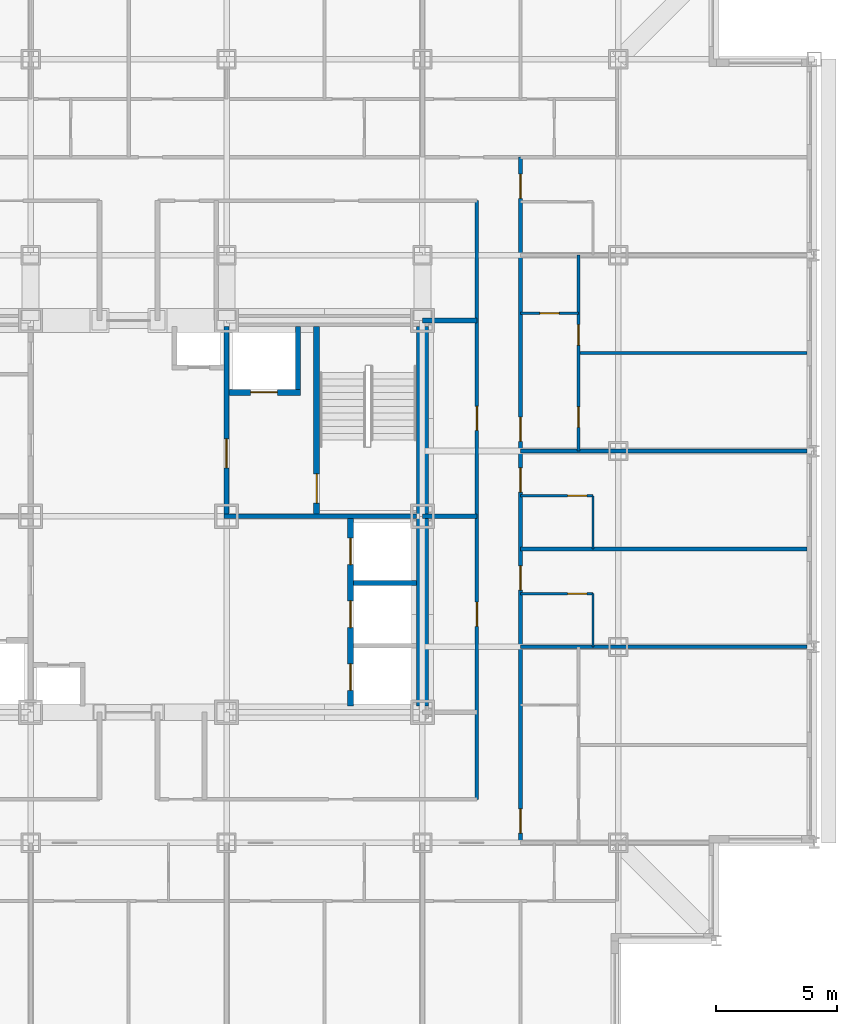
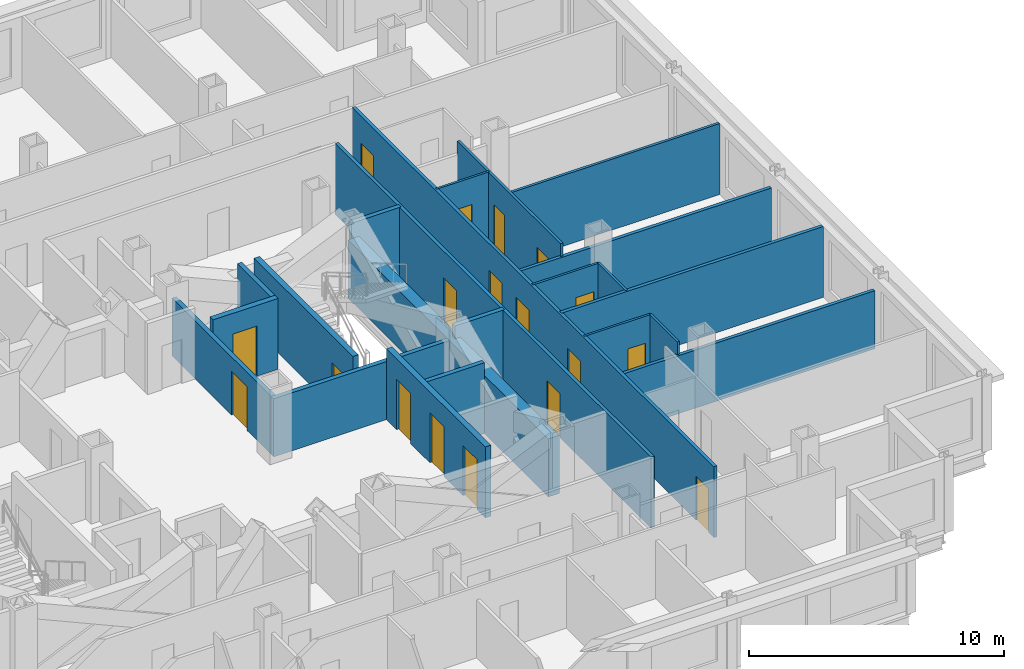
# One storey, part 8 of 12: 22 walls, 18 doors, 18 openings.
"""IFC4 building model written with IfcOpenShell, lengths in metres."""

import ifcopenshell
import ifcopenshell.guid

model = None  # the IFC model being written
_history = None  # IfcOwnerHistory: only IFC2X3 demands one
_inside = {}  # id of a spatial element -> (the spatial element, [elements in it])
_under = {}  # id of a project, library or spatial element -> (it, [spatial elements below it])
_declared = {}  # id of a project -> (the project, [libraries it declares])
_typed = {}  # id of a type object -> (the type object, [elements of that type])
_made_of = {}  # id of a material, layer set ... -> (it, [elements and type objects made of it])


def new_model(schema):
    """Start an empty IFC model of exactly this schema.

    Asked for "IFC4X3", IfcOpenShell would pick the latest addendum, in which some entities
    have other attributes; the version numbers below select the first issue.
    IFC2X3 requires an IfcOwnerHistory on every rooted entity: one is made here for all.
    """
    global model, _history
    if schema == "IFC4X3":
        model = ifcopenshell.file(schema_version=(4, 3, 0, 0))
    else:
        model = ifcopenshell.file(schema=schema)
    _inside.clear()
    _under.clear()
    _declared.clear()
    _typed.clear()
    _made_of.clear()
    _history = None
    if model.schema == "IFC2X3":
        org = make("IfcOrganization", Name="unknown")
        user = make(
            "IfcPersonAndOrganization",
            ThePerson=make("IfcPerson", FamilyName="unknown"),
            TheOrganization=org,
        )
        app = make(
            "IfcApplication",
            ApplicationDeveloper=org,
            Version="unknown",
            ApplicationFullName="unknown",
            ApplicationIdentifier="unknown",
        )
        _history = make(
            "IfcOwnerHistory",
            OwningUser=user,
            OwningApplication=app,
            ChangeAction="ADDED",
            CreationDate=0,
        )
    return model


def make(cls, **values):
    """One entity of the class cls with the attributes given. An attribute that is None is left unset."""
    return model.create_entity(
        cls, **{name: value for name, value in values.items() if value is not None}
    )


def rooted(cls, **values):
    """An entity with a GlobalId (a new one), such as an element, a storey or a relation."""
    return make(cls, GlobalId=ifcopenshell.guid.new(), OwnerHistory=_history, **values)


def si_unit(unit_type, name, prefix=None):
    """IfcSIUnit, for example si_unit("LENGTHUNIT", "METRE", prefix="MILLI")."""
    return make("IfcSIUnit", UnitType=unit_type, Prefix=prefix, Name=name)


def assignment(units):
    """IfcUnitAssignment: the units of a project."""
    return None if units is None else make("IfcUnitAssignment", Units=units)


def point(xyz):
    """IfcCartesianPoint."""
    return None if xyz is None else make("IfcCartesianPoint", Coordinates=xyz)


def direction(xyz):
    """IfcDirection."""
    return None if xyz is None else make("IfcDirection", DirectionRatios=xyz)


def frame(location, z_axis=None, x_axis=None):
    """IfcAxis2Placement3D, a coordinate frame: its origin and axes. An axis left out is left unset."""
    return make(
        "IfcAxis2Placement3D",
        Location=point(location),
        Axis=direction(z_axis),
        RefDirection=direction(x_axis),
    )


def frame_2d(location, x_axis=None):
    """IfcAxis2Placement2D, a coordinate frame in the plane: its origin and x axis."""
    return make(
        "IfcAxis2Placement2D", Location=point(location), RefDirection=direction(x_axis)
    )


def origin():
    """The frame at (0, 0, 0) with its axes left unset."""
    return frame((0.0, 0.0, 0.0))


def place(relative_to, where):
    """IfcLocalPlacement: puts the frame where relative to a parent placement (None: the world)."""
    return make(
        "IfcLocalPlacement", PlacementRelTo=relative_to, RelativePlacement=where
    )


def context(
    kind, dimensions, precision=None, world=None, true_north=None, identifier=None
):
    """IfcGeometricRepresentationContext, for example the 3D "Model" context."""
    return make(
        "IfcGeometricRepresentationContext",
        ContextIdentifier=identifier,
        ContextType=kind,
        CoordinateSpaceDimension=dimensions,
        Precision=precision,
        WorldCoordinateSystem=world,
        TrueNorth=true_north,
    )


def subcontext(parent, identifier, kind, view, scale=None):
    """IfcGeometricRepresentationSubContext, for example "Body" below "Model"."""
    return make(
        "IfcGeometricRepresentationSubContext",
        ContextIdentifier=identifier,
        ContextType=kind,
        ParentContext=parent,
        TargetScale=scale,
        TargetView=view,
    )


def project(units=None, contexts=None):
    """IfcProject with its units and contexts."""
    return rooted(
        "IfcProject",
        Name="project",
        RepresentationContexts=contexts,
        UnitsInContext=assignment(units),
    )


def spatial(cls, under=None, at=None, **own):
    """A site, building, storey or space (cls), placed at a placement, below another one or the project."""
    s = rooted(cls, ObjectPlacement=at, **own)
    if under is not None:
        _under.setdefault(under.id(), (under, []))[1].append(s)
    return s


def profile(cls, at=None, kind="AREA", **sizes):
    """A parametric profile (cls). Its sizes go by their IFC names, for example OverallWidth=200.0."""
    return make(cls, ProfileType=kind, Position=at, **sizes)


def rectangle(**sizes):
    """IfcRectangleProfileDef."""
    return profile("IfcRectangleProfileDef", **sizes)


def extrude(swept, where, along, depth):
    """IfcExtrudedAreaSolid: the profile swept, set in the frame where, extruded along a direction by depth."""
    return make(
        "IfcExtrudedAreaSolid",
        SweptArea=swept,
        Position=where,
        ExtrudedDirection=direction(along),
        Depth=depth,
    )


def shape(context_of_items, identifier, shape_type, items):
    """IfcShapeRepresentation: the items that make up one representation, for example the "Body"."""
    return make(
        "IfcShapeRepresentation",
        ContextOfItems=context_of_items,
        RepresentationIdentifier=identifier,
        RepresentationType=shape_type,
        Items=items,
    )


def material(Name=None, Category=None):
    """IfcMaterial."""
    return make("IfcMaterial", Name=Name, Category=Category)


def layer(
    of_material, thickness, ventilated=None, Name=None, Category=None, Priority=None
):
    """IfcMaterialLayer: one layer of a wall or slab, of a material (None: an air gap)."""
    return make(
        "IfcMaterialLayer",
        Material=of_material,
        LayerThickness=thickness,
        IsVentilated=ventilated,
        Name=Name,
        Category=Category,
        Priority=Priority,
    )


def layer_set(layers, Name=None):
    """IfcMaterialLayerSet."""
    return make("IfcMaterialLayerSet", MaterialLayers=layers, LayerSetName=Name)


def made_of(thing, what):
    """Note that an element or type object is made of a material, layer set ...; save() writes the relation."""
    if what is not None:
        _made_of.setdefault(what.id(), (what, []))[1].append(thing)
    return thing


def type_object(cls, material=None, **own):
    """A type object (cls), such as IfcWallType, which elements share."""
    return made_of(rooted(cls, **own), material)


def element(
    cls,
    number,
    at=None,
    inside=None,
    cuts=None,
    type_object=None,
    material=None,
    context=None,
    identifier="Body",
    shape_type=None,
    held_by="IfcProductDefinitionShape",
    body=None,
    shapes=None,
    **own,
):
    """One element of the class cls, such as IfcWall. Its Tag is "e" and its number.

    at: its placement. inside: the storey or other place that contains it. cuts: it is an
    opening in that element (IfcRelVoidsElement). A single representation is given by context,
    identifier, shape_type and body (its items); several are given by shapes. held_by: the class
    of the entity that holds the representations. save() writes the other relations.
    """
    e = rooted(cls, Tag="e%d" % number, ObjectPlacement=at, **own)
    if body is not None:
        shapes = [shape(context, identifier, shape_type, body)]
    if shapes is not None:
        e.Representation = make(held_by, Representations=shapes)
    if inside is not None:
        _inside.setdefault(inside.id(), (inside, []))[1].append(e)
    if cuts is not None:
        rooted(
            "IfcRelVoidsElement", RelatingBuildingElement=cuts, RelatedOpeningElement=e
        )
    if type_object is not None:
        _typed.setdefault(type_object.id(), (type_object, []))[1].append(e)
    return made_of(e, material)


def fill(opening, filler):
    """IfcRelFillsElement: the door or window that sits in an opening."""
    return rooted(
        "IfcRelFillsElement",
        RelatingOpeningElement=opening,
        RelatedBuildingElement=filler,
    )


def aggregate(whole, parts):
    """IfcRelAggregates: a whole, such as a stair, and the parts it consists of."""
    return rooted("IfcRelAggregates", RelatingObject=whole, RelatedObjects=parts)


def save(model, path):
    """Write the relations noted so far, then the file.

    IfcRelAggregates (storeys below a building ...), IfcRelContainedInSpatialStructure (elements
    in a storey), IfcRelDefinesByType, IfcRelAssociatesMaterial and IfcRelDeclares: one each for
    every whole, place, type object, material and project.
    """
    for whole, parts in _under.values():
        aggregate(whole, parts)
    for where, things in _inside.values():
        rooted(
            "IfcRelContainedInSpatialStructure",
            RelatedElements=things,
            RelatingStructure=where,
        )
    for kind, things in _typed.values():
        rooted("IfcRelDefinesByType", RelatedObjects=things, RelatingType=kind)
    for what, things in _made_of.values():
        rooted("IfcRelAssociatesMaterial", RelatedObjects=things, RelatingMaterial=what)
    for by, libraries in _declared.values():
        rooted("IfcRelDeclares", RelatingContext=by, RelatedDefinitions=libraries)
    model.write(path)


model = new_model("IFC4")

# Units and contexts
model_context = context("Model", 3, precision=1e-05, world=origin(), true_north=direction((0.0, 1.0)))
body_context = subcontext(model_context, "Body", "Model", "MODEL_VIEW")
ifc_project = project(units=[si_unit("LENGTHUNIT", "METRE"), si_unit("AREAUNIT", "SQUARE_METRE"), si_unit("VOLUMEUNIT", "CUBIC_METRE"), si_unit("PLANEANGLEUNIT", "RADIAN"), si_unit("MASSUNIT", "GRAM", prefix="KILO")], contexts=[model_context])

# Site, building, storey
site_placement = place(None, origin())
site = spatial("IfcSite", under=ifc_project, at=site_placement, CompositionType="ELEMENT")
building_placement = place(site_placement, origin())
building = spatial("IfcBuilding", under=site, at=building_placement, Name="Kopane Lantern Tower", CompositionType="ELEMENT")
storey_placement = place(building_placement, frame((0.0, 0.0, 181.199951171875)))
storey = spatial("IfcBuildingStorey", under=building, at=storey_placement, Name="L46", CompositionType="ELEMENT", Elevation=181.199951171875)

# Wall, openings, doors
ifc_material_1 = material(Name="Gypsum board on steel studs", Category="steel")
ifc_layer_1 = layer(ifc_material_1, 0.1201171875)
ifc_layer_set_1 = layer_set([ifc_layer_1], Name="APARTMENT INTERNAL WALL 120")
wall_type_1 = type_object("IfcWallType", Name="APARTMENT INTERNAL WALL 120", PredefinedType="PARTITIONING", material=ifc_layer_set_1)
wall_1_placement = place(storey_placement, frame((46.949951171875, 35.10009765625, 0.0), z_axis=(0.0, 0.0, 1.0), x_axis=(0.0, 1.0, 0.0)))
wall_1 = element("IfcWall", 1, at=wall_1_placement, inside=storey, type_object=wall_type_1, Name="Apartment Internal Wall 120 L46", PredefinedType="PARTITIONING", context=body_context, shape_type="SweptSolid", body=[
    extrude(rectangle(XDim=8.099853515625, YDim=0.1201171875, at=frame_2d((4.0498046875, 0.0))), origin(), (0.0, 0.0, 1.0), 3.39013671875),
])
opening_1_placement = place(wall_1_placement, frame((0.97509765625, 0.0, 0.0)))
opening_1 = element("IfcOpeningElement", 2, at=opening_1_placement, cuts=wall_1, Name="Opening L46-056", PredefinedType="OPENING", context=body_context, shape_type="SweptSolid", body=[
    extrude(rectangle(XDim=0.85009765625, YDim=2.10009765625, at=frame_2d((0.425048828125, 1.050048828125))), frame((0.0, 0.070068359375, 0.0), z_axis=(0.0, -1.0, 0.0), x_axis=(1.0, 0.0, 0.0)), (0.0, 0.0, 1.0), 0.14013671875),
])
opening_2_placement = place(wall_1_placement, frame((4.375, 0.0, 0.0)))
opening_2 = element("IfcOpeningElement", 3, at=opening_2_placement, cuts=wall_1, Name="Opening L46-057", PredefinedType="OPENING", context=body_context, shape_type="SweptSolid", body=[
    extrude(rectangle(XDim=0.85009765625, YDim=2.10009765625, at=frame_2d((0.425048828125, 1.050048828125))), frame((0.0, 0.070068359375, 0.0), z_axis=(0.0, -1.0, 0.0), x_axis=(1.0, 0.0, 0.0)), (0.0, 0.0, 1.0), 0.14013671875),
])
ifc_material_2 = material(Name="Timber door set", Category="wood")
door_type_1 = type_object("IfcDoorType", Name="DOOR D4 850x2100", OperationType="SINGLE_SWING_LEFT", PredefinedType="DOOR", material=ifc_material_2)
door_1_placement = place(opening_1_placement, origin())
door_1 = element("IfcDoor", 4, at=door_1_placement, inside=storey, type_object=door_type_1, Name="Door L46-056", OperationType="SINGLE_SWING_LEFT", OverallHeight=2.10009765625, OverallWidth=0.85009765625, PredefinedType="DOOR", context=body_context, shape_type="SweptSolid", body=[
    extrude(rectangle(XDim=0.85009765625, YDim=2.10009765625, at=frame_2d((0.425048828125, 1.050048828125))), frame((0.0, 0.02490234375, 0.0), z_axis=(0.0, -1.0, 0.0), x_axis=(1.0, 0.0, 0.0)), (0.0, 0.0, 1.0), 0.050048828125),
])
fill(opening_1, door_1)
door_2_placement = place(opening_2_placement, origin())
door_2 = element("IfcDoor", 5, at=door_2_placement, inside=storey, type_object=door_type_1, Name="Door L46-057", OperationType="SINGLE_SWING_RIGHT", OverallHeight=2.10009765625, OverallWidth=0.85009765625, PredefinedType="DOOR", context=body_context, shape_type="SweptSolid", body=[
    extrude(rectangle(XDim=0.85009765625, YDim=2.10009765625, at=frame_2d((0.425048828125, 1.050048828125))), frame((0.0, 0.02490234375, 0.0), z_axis=(0.0, -1.0, 0.0), x_axis=(1.0, 0.0, 0.0)), (0.0, 0.0, 1.0), 0.050048828125),
])
fill(opening_2, door_2)

# Walls
wall_2_placement = place(storey_placement, frame((46.949951171875, 39.14990234375, 0.0), z_axis=(0.0, 0.0, 1.0), x_axis=(1.0, 0.0, 0.0)))
element("IfcWall", 6, at=wall_2_placement, inside=storey, type_object=wall_type_1, Name="Apartment Internal Wall 120 L46", PredefinedType="PARTITIONING", context=body_context, shape_type="SweptSolid", body=[
    extrude(rectangle(XDim=9.449951171875, YDim=0.1201171875, at=frame_2d((4.72509765625, 0.0))), origin(), (0.0, 0.0, 1.0), 3.39013671875),
])
ifc_material_3 = material(Name="Moisture-resistant board on steel studs", Category="steel")
ifc_layer_2 = layer(ifc_material_3, 0.10009765625)
ifc_layer_set_2 = layer_set([ifc_layer_2], Name="BATHROOM WALL 100")
wall_type_2 = type_object("IfcWallType", Name="BATHROOM WALL 100", PredefinedType="PARTITIONING", material=ifc_layer_set_2)
wall_3_placement = place(storey_placement, frame((47.550048828125, 27.0, 0.0), z_axis=(0.0, 0.0, 1.0), x_axis=(0.0, 1.0, 0.0)))
element("IfcWall", 7, at=wall_3_placement, inside=storey, type_object=wall_type_2, Name="Bathroom Wall 100 L46", PredefinedType="PARTITIONING", context=body_context, shape_type="SweptSolid", body=[
    extrude(rectangle(XDim=2.199951171875, YDim=0.10009765625, at=frame_2d((1.10009765625, 0.0))), origin(), (0.0, 0.0, 1.0), 3.39013671875),
])

# Wall, opening, door
wall_4_placement = place(storey_placement, frame((44.550048828125, 29.199951171875, 0.0), z_axis=(0.0, 0.0, 1.0), x_axis=(1.0, 0.0, 0.0)))
wall_4 = element("IfcWall", 8, at=wall_4_placement, inside=storey, type_object=wall_type_2, Name="Bathroom Wall 100 L46", PredefinedType="PARTITIONING", context=body_context, shape_type="SweptSolid", body=[
    extrude(rectangle(XDim=3.0, YDim=0.10009765625, at=frame_2d((1.5, 0.0))), origin(), (0.0, 0.0, 1.0), 3.39013671875),
])
opening_3_placement = place(wall_4_placement, frame((1.949951171875, 0.0, 0.0)))
opening_3 = element("IfcOpeningElement", 9, at=opening_3_placement, cuts=wall_4, Name="Opening L46-050", PredefinedType="OPENING", context=body_context, shape_type="SweptSolid", body=[
    extrude(rectangle(XDim=0.800048828125, YDim=2.10009765625, at=frame_2d((0.39990234375, 1.050048828125))), frame((0.0, 0.06005859375, 0.0), z_axis=(0.0, -1.0, 0.0), x_axis=(1.0, 0.0, 0.0)), (0.0, 0.0, 1.0), 0.1201171875),
])
ifc_material_4 = material(Name="Timber door set", Category="wood")
door_type_2 = type_object("IfcDoorType", Name="DOOR D2 800x2100", OperationType="SINGLE_SWING_LEFT", PredefinedType="DOOR", material=ifc_material_4)
door_3_placement = place(opening_3_placement, origin())
door_3 = element("IfcDoor", 10, at=door_3_placement, inside=storey, type_object=door_type_2, Name="Door L46-050", OperationType="SINGLE_SWING_LEFT", OverallHeight=2.10009765625, OverallWidth=0.800048828125, PredefinedType="DOOR", context=body_context, shape_type="SweptSolid", body=[
    extrude(rectangle(XDim=0.800048828125, YDim=2.10009765625, at=frame_2d((0.39990234375, 1.050048828125))), frame((0.0, 0.02490234375, 0.0), z_axis=(0.0, -1.0, 0.0), x_axis=(1.0, 0.0, 0.0)), (0.0, 0.0, 1.0), 0.050048828125),
])
fill(opening_3, door_3)

# Wall
wall_5_placement = place(storey_placement, frame((47.550048828125, 31.050048828125, 0.0), z_axis=(0.0, 0.0, 1.0), x_axis=(0.0, 1.0, 0.0)))
element("IfcWall", 11, at=wall_5_placement, inside=storey, type_object=wall_type_2, Name="Bathroom Wall 100 L46", PredefinedType="PARTITIONING", context=body_context, shape_type="SweptSolid", body=[
    extrude(rectangle(XDim=2.199951171875, YDim=0.10009765625, at=frame_2d((1.10009765625, 0.0))), origin(), (0.0, 0.0, 1.0), 3.39013671875),
])

# Wall, opening, door
wall_6_placement = place(storey_placement, frame((44.550048828125, 33.25, 0.0), z_axis=(0.0, 0.0, 1.0), x_axis=(1.0, 0.0, 0.0)))
wall_6 = element("IfcWall", 12, at=wall_6_placement, inside=storey, type_object=wall_type_2, Name="Bathroom Wall 100 L46", PredefinedType="PARTITIONING", context=body_context, shape_type="SweptSolid", body=[
    extrude(rectangle(XDim=3.0, YDim=0.10009765625, at=frame_2d((1.5, 0.0))), origin(), (0.0, 0.0, 1.0), 3.39013671875),
])
opening_4_placement = place(wall_6_placement, frame((1.949951171875, 0.0, 0.0)))
opening_4 = element("IfcOpeningElement", 13, at=opening_4_placement, cuts=wall_6, Name="Opening L46-052", PredefinedType="OPENING", context=body_context, shape_type="SweptSolid", body=[
    extrude(rectangle(XDim=0.800048828125, YDim=2.10009765625, at=frame_2d((0.39990234375, 1.050048828125))), frame((0.0, 0.06005859375, 0.0), z_axis=(0.0, -1.0, 0.0), x_axis=(1.0, 0.0, 0.0)), (0.0, 0.0, 1.0), 0.1201171875),
])
door_4_placement = place(opening_4_placement, origin())
door_4 = element("IfcDoor", 14, at=door_4_placement, inside=storey, type_object=door_type_2, Name="Door L46-052", OperationType="SINGLE_SWING_LEFT", OverallHeight=2.10009765625, OverallWidth=0.800048828125, PredefinedType="DOOR", context=body_context, shape_type="SweptSolid", body=[
    extrude(rectangle(XDim=0.800048828125, YDim=2.10009765625, at=frame_2d((0.39990234375, 1.050048828125))), frame((0.0, 0.02490234375, 0.0), z_axis=(0.0, -1.0, 0.0), x_axis=(1.0, 0.0, 0.0)), (0.0, 0.0, 1.0), 0.050048828125),
])
fill(opening_4, door_4)

wall_7_placement = place(storey_placement, frame((44.550048828125, 40.800048828125, 0.0), z_axis=(0.0, 0.0, 1.0), x_axis=(1.0, 0.0, 0.0)))
wall_7 = element("IfcWall", 15, at=wall_7_placement, inside=storey, type_object=wall_type_2, Name="Bathroom Wall 100 L46", PredefinedType="PARTITIONING", context=body_context, shape_type="SweptSolid", body=[
    extrude(rectangle(XDim=2.39990234375, YDim=0.10009765625, at=frame_2d((1.199951171875, 0.0))), origin(), (0.0, 0.0, 1.0), 3.39013671875),
])
opening_5_placement = place(wall_7_placement, frame((0.800048828125, 0.0, 0.0)))
opening_5 = element("IfcOpeningElement", 16, at=opening_5_placement, cuts=wall_7, Name="Opening L46-054", PredefinedType="OPENING", context=body_context, shape_type="SweptSolid", body=[
    extrude(rectangle(XDim=0.800048828125, YDim=2.10009765625, at=frame_2d((0.39990234375, 1.050048828125))), frame((0.0, 0.06005859375, 0.0), z_axis=(0.0, -1.0, 0.0), x_axis=(1.0, 0.0, 0.0)), (0.0, 0.0, 1.0), 0.1201171875),
])
door_5_placement = place(opening_5_placement, origin())
door_5 = element("IfcDoor", 17, at=door_5_placement, inside=storey, type_object=door_type_2, Name="Door L46-054", OperationType="SINGLE_SWING_LEFT", OverallHeight=2.10009765625, OverallWidth=0.800048828125, PredefinedType="DOOR", context=body_context, shape_type="SweptSolid", body=[
    extrude(rectangle(XDim=0.800048828125, YDim=2.10009765625, at=frame_2d((0.39990234375, 1.050048828125))), frame((0.0, 0.02490234375, 0.0), z_axis=(0.0, -1.0, 0.0), x_axis=(1.0, 0.0, 0.0)), (0.0, 0.0, 1.0), 0.050048828125),
])
fill(opening_5, door_5)

# Wall
ifc_material_5 = material(Name="Gypsum shaft wall EI 120", Category="gypsum")
ifc_layer_3 = layer(ifc_material_5, 0.5)
ifc_layer_set_3 = layer_set([ifc_layer_3], Name="CORE PERIMETER WALL 500 EI 120")
wall_type_3 = type_object("IfcWallType", Name="CORE PERIMETER WALL 500 EI 120", PredefinedType="SOLIDWALL", material=ifc_layer_set_3)
wall_8_placement = place(storey_placement, frame((40.5, 24.550048828125, 0.0), z_axis=(0.0, 0.0, 1.0), x_axis=(0.0, 1.0, 0.0)))
element("IfcWall", 18, at=wall_8_placement, inside=storey, type_object=wall_type_3, Name="Core shaft wall L46 PE", PredefinedType="SOLIDWALL", context=body_context, shape_type="SweptSolid", body=[
    extrude(rectangle(XDim=15.699951171875, YDim=0.5, at=frame_2d((7.85009765625, 0.0))), origin(), (0.0, 0.0, 1.0), 2.77783203125),
])

# Wall, openings, doors
ifc_material_6 = material(Name="Gypsum shaft wall EI 120", Category="gypsum")
ifc_layer_4 = layer(ifc_material_6, 0.25)
ifc_layer_set_4 = layer_set([ifc_layer_4], Name="CORE SHAFT WALL 250 EI 120")
wall_type_4 = type_object("IfcWallType", Name="CORE SHAFT WALL 250 EI 120", PredefinedType="SOLIDWALL", material=ifc_layer_set_4)
wall_9_placement = place(storey_placement, frame((37.52490234375, 24.550048828125, 0.0), z_axis=(0.0, 0.0, 1.0), x_axis=(0.0, 1.0, 0.0)))
wall_9 = element("IfcWall", 19, at=wall_9_placement, inside=storey, type_object=wall_type_4, Name="Core shaft wall L46 XLR", PredefinedType="SOLIDWALL", context=body_context, shape_type="SweptSolid", body=[
    extrude(rectangle(XDim=7.75, YDim=0.25, at=frame_2d((3.875, 0.0))), origin(), (0.0, 0.0, 1.0), 3.39013671875),
])
opening_6_placement = place(wall_9_placement, frame((0.64990234375, 0.0, 0.0)))
opening_6 = element("IfcOpeningElement", 20, at=opening_6_placement, cuts=wall_9, Name="Opening 46.LD-LR1", PredefinedType="OPENING", context=body_context, shape_type="SweptSolid", body=[
    extrude(rectangle(XDim=1.10009765625, YDim=2.39990234375, at=frame_2d((0.550048828125, 1.199951171875))), frame((0.0, 0.135009765625, 0.0), z_axis=(0.0, -1.0, 0.0), x_axis=(1.0, 0.0, 0.0)), (0.0, 0.0, 1.0), 0.27001953125),
])
opening_7_placement = place(wall_9_placement, frame((3.25, 0.0, 0.0)))
opening_7 = element("IfcOpeningElement", 21, at=opening_7_placement, cuts=wall_9, Name="Opening 46.LD-LR2", PredefinedType="OPENING", context=body_context, shape_type="SweptSolid", body=[
    extrude(rectangle(XDim=1.10009765625, YDim=2.39990234375, at=frame_2d((0.550048828125, 1.199951171875))), frame((0.0, 0.135009765625, 0.0), z_axis=(0.0, -1.0, 0.0), x_axis=(1.0, 0.0, 0.0)), (0.0, 0.0, 1.0), 0.27001953125),
])
opening_8_placement = place(wall_9_placement, frame((5.85009765625, 0.0, 0.0)))
opening_8 = element("IfcOpeningElement", 22, at=opening_8_placement, cuts=wall_9, Name="Opening 46.LD-LR3", PredefinedType="OPENING", context=body_context, shape_type="SweptSolid", body=[
    extrude(rectangle(XDim=1.10009765625, YDim=2.39990234375, at=frame_2d((0.550048828125, 1.199951171875))), frame((0.0, 0.135009765625, 0.0), z_axis=(0.0, -1.0, 0.0), x_axis=(1.0, 0.0, 0.0)), (0.0, 0.0, 1.0), 0.27001953125),
])
ifc_material_7 = material(Name="Steel door set", Category="steel")
door_type_3 = type_object("IfcDoorType", Name="LIFT LANDING DOOR 1100x2400 FD60", OperationType="DOUBLE_DOOR_SLIDING", PredefinedType="DOOR", material=ifc_material_7)
door_6_placement = place(opening_6_placement, origin())
door_6 = element("IfcDoor", 23, at=door_6_placement, inside=storey, type_object=door_type_3, Name="Landing door LR1 L46", OperationType="DOUBLE_DOOR_SLIDING", OverallHeight=2.39990234375, OverallWidth=1.10009765625, PredefinedType="DOOR", context=body_context, shape_type="SweptSolid", body=[
    extrude(rectangle(XDim=1.10009765625, YDim=2.39990234375, at=frame_2d((0.550048828125, 1.199951171875))), frame((0.0, 0.02490234375, 0.0), z_axis=(0.0, -1.0, 0.0), x_axis=(1.0, 0.0, 0.0)), (0.0, 0.0, 1.0), 0.050048828125),
])
fill(opening_6, door_6)
door_7_placement = place(opening_7_placement, origin())
door_7 = element("IfcDoor", 24, at=door_7_placement, inside=storey, type_object=door_type_3, Name="Landing door LR2 L46", OperationType="DOUBLE_DOOR_SLIDING", OverallHeight=2.39990234375, OverallWidth=1.10009765625, PredefinedType="DOOR", context=body_context, shape_type="SweptSolid", body=[
    extrude(rectangle(XDim=1.10009765625, YDim=2.39990234375, at=frame_2d((0.550048828125, 1.199951171875))), frame((0.0, 0.02490234375, 0.0), z_axis=(0.0, -1.0, 0.0), x_axis=(1.0, 0.0, 0.0)), (0.0, 0.0, 1.0), 0.050048828125),
])
fill(opening_7, door_7)
door_8_placement = place(opening_8_placement, origin())
door_8 = element("IfcDoor", 25, at=door_8_placement, inside=storey, type_object=door_type_3, Name="Landing door LR3 L46", OperationType="DOUBLE_DOOR_SLIDING", OverallHeight=2.39990234375, OverallWidth=1.10009765625, PredefinedType="DOOR", context=body_context, shape_type="SweptSolid", body=[
    extrude(rectangle(XDim=1.10009765625, YDim=2.39990234375, at=frame_2d((0.550048828125, 1.199951171875))), frame((0.0, 0.02490234375, 0.0), z_axis=(0.0, -1.0, 0.0), x_axis=(1.0, 0.0, 0.0)), (0.0, 0.0, 1.0), 0.050048828125),
])
fill(opening_8, door_8)

# Wall, opening, door
wall_10_placement = place(storey_placement, frame((36.125, 32.5, 0.0), z_axis=(0.0, 0.0, 1.0), x_axis=(0.0, 1.0, 0.0)))
wall_10 = element("IfcWall", 26, at=wall_10_placement, inside=storey, type_object=wall_type_4, Name="Core shaft wall L46 XST2", PredefinedType="SOLIDWALL", context=body_context, shape_type="SweptSolid", body=[
    extrude(rectangle(XDim=7.75, YDim=0.25, at=frame_2d((3.875, 0.0))), origin(), (0.0, 0.0, 1.0), 3.39013671875),
])
opening_9_placement = place(wall_10_placement, frame((0.449951171875, 0.0, 0.0)))
opening_9 = element("IfcOpeningElement", 27, at=opening_9_placement, cuts=wall_10, Name="Opening 46.SD2", PredefinedType="OPENING", context=body_context, shape_type="SweptSolid", body=[
    extrude(rectangle(XDim=1.199951171875, YDim=2.10009765625, at=frame_2d((0.60009765625, 1.050048828125))), frame((0.0, 0.135009765625, 0.0), z_axis=(0.0, -1.0, 0.0), x_axis=(1.0, 0.0, 0.0)), (0.0, 0.0, 1.0), 0.27001953125),
])
ifc_material_8 = material(Name="Steel door set", Category="steel")
door_type_4 = type_object("IfcDoorType", Name="STAIR DOOR 1200x2100 FD60S", OperationType="SINGLE_SWING_LEFT", PredefinedType="DOOR", material=ifc_material_8)
door_9_placement = place(opening_9_placement, origin())
door_9 = element("IfcDoor", 28, at=door_9_placement, inside=storey, type_object=door_type_4, Name="Stair door ST2 L46", OperationType="SINGLE_SWING_RIGHT", OverallHeight=2.10009765625, OverallWidth=1.199951171875, PredefinedType="DOOR", context=body_context, shape_type="SweptSolid", body=[
    extrude(rectangle(XDim=1.199951171875, YDim=2.10009765625, at=frame_2d((0.60009765625, 1.050048828125))), frame((0.0, 0.02490234375, 0.0), z_axis=(0.0, -1.0, 0.0), x_axis=(1.0, 0.0, 0.0)), (0.0, 0.0, 1.0), 0.050048828125),
])
fill(opening_9, door_9)

wall_11_placement = place(storey_placement, frame((32.5, 37.52490234375, 0.0), z_axis=(0.0, 0.0, 1.0), x_axis=(1.0, 0.0, 0.0)))
wall_11 = element("IfcWall", 29, at=wall_11_placement, inside=storey, type_object=wall_type_4, Name="Core shaft wall L46 YLF2", PredefinedType="SOLIDWALL", context=body_context, shape_type="SweptSolid", body=[
    extrude(rectangle(XDim=2.949951171875, YDim=0.25, at=frame_2d((1.47509765625, 0.0))), origin(), (0.0, 0.0, 1.0), 3.39013671875),
])
opening_10_placement = place(wall_11_placement, frame((0.89990234375, 0.0, 0.0)))
opening_10 = element("IfcOpeningElement", 30, at=opening_10_placement, cuts=wall_11, Name="Opening 46.LD-LF2", PredefinedType="OPENING", context=body_context, shape_type="SweptSolid", body=[
    extrude(rectangle(XDim=1.10009765625, YDim=2.39990234375, at=frame_2d((0.550048828125, 1.199951171875))), frame((0.0, 0.135009765625, 0.0), z_axis=(0.0, -1.0, 0.0), x_axis=(1.0, 0.0, 0.0)), (0.0, 0.0, 1.0), 0.27001953125),
])
door_10_placement = place(opening_10_placement, origin())
door_10 = element("IfcDoor", 31, at=door_10_placement, inside=storey, type_object=door_type_3, Name="Landing door LF2 L46", OperationType="DOUBLE_DOOR_SLIDING", OverallHeight=2.39990234375, OverallWidth=1.10009765625, PredefinedType="DOOR", context=body_context, shape_type="SweptSolid", body=[
    extrude(rectangle(XDim=1.10009765625, YDim=2.39990234375, at=frame_2d((0.550048828125, 1.199951171875))), frame((0.0, 0.02490234375, 0.0), z_axis=(0.0, -1.0, 0.0), x_axis=(1.0, 0.0, 0.0)), (0.0, 0.0, 1.0), 0.050048828125),
])
fill(opening_10, door_10)

# Wall, openings, doors
ifc_material_9 = material(Name="Gypsum board on steel studs", Category="steel")
ifc_layer_5 = layer(ifc_material_9, 0.14990234375)
ifc_layer_set_5 = layer_set([ifc_layer_5], Name="CORRIDOR WALL 150 EI 60")
wall_type_5 = type_object("IfcWallType", Name="CORRIDOR WALL 150 EI 60", PredefinedType="PARTITIONING", material=ifc_layer_set_5)
wall_12_placement = place(storey_placement, frame((44.550048828125, 18.89990234375, 0.0), z_axis=(0.0, 0.0, 1.0), x_axis=(0.0, 1.0, 0.0)))
wall_12 = element("IfcWall", 32, at=wall_12_placement, inside=storey, type_object=wall_type_5, Name="Corridor Wall 150 Ei 60 L46", PredefinedType="PARTITIONING", context=body_context, shape_type="SweptSolid", body=[
    extrude(rectangle(XDim=28.35009765625, YDim=0.14990234375, at=frame_2d((14.175048828125, 0.0))), origin(), (0.0, 0.0, 1.0), 3.39013671875),
])
opening_11_placement = place(wall_12_placement, frame((0.39990234375, 0.0, 0.0)))
opening_11 = element("IfcOpeningElement", 33, at=opening_11_placement, cuts=wall_12, Name="Opening L46-047", PredefinedType="OPENING", context=body_context, shape_type="SweptSolid", body=[
    extrude(rectangle(XDim=1.0, YDim=2.10009765625, at=frame_2d((0.5, 1.050048828125))), frame((0.0, 0.0849609375, 0.0), z_axis=(0.0, -1.0, 0.0), x_axis=(1.0, 0.0, 0.0)), (0.0, 0.0, 1.0), 0.169921875),
])
opening_12_placement = place(wall_12_placement, frame((10.449951171875, 0.0, 0.0)))
opening_12 = element("IfcOpeningElement", 34, at=opening_12_placement, cuts=wall_12, Name="Opening L46-051", PredefinedType="OPENING", context=body_context, shape_type="SweptSolid", body=[
    extrude(rectangle(XDim=1.0, YDim=2.10009765625, at=frame_2d((0.5, 1.050048828125))), frame((0.0, 0.0849609375, 0.0), z_axis=(0.0, -1.0, 0.0), x_axis=(1.0, 0.0, 0.0)), (0.0, 0.0, 1.0), 0.169921875),
])
opening_13_placement = place(wall_12_placement, frame((14.5, 0.0, 0.0)))
opening_13 = element("IfcOpeningElement", 35, at=opening_13_placement, cuts=wall_12, Name="Opening L46-053", PredefinedType="OPENING", context=body_context, shape_type="SweptSolid", body=[
    extrude(rectangle(XDim=1.0, YDim=2.10009765625, at=frame_2d((0.5, 1.050048828125))), frame((0.0, 0.0849609375, 0.0), z_axis=(0.0, -1.0, 0.0), x_axis=(1.0, 0.0, 0.0)), (0.0, 0.0, 1.0), 0.169921875),
])
opening_14_placement = place(wall_12_placement, frame((16.60009765625, 0.0, 0.0)))
opening_14 = element("IfcOpeningElement", 36, at=opening_14_placement, cuts=wall_12, Name="Opening L46-055", PredefinedType="OPENING", context=body_context, shape_type="SweptSolid", body=[
    extrude(rectangle(XDim=1.0, YDim=2.10009765625, at=frame_2d((0.5, 1.050048828125))), frame((0.0, 0.0849609375, 0.0), z_axis=(0.0, -1.0, 0.0), x_axis=(1.0, 0.0, 0.0)), (0.0, 0.0, 1.0), 0.169921875),
])
opening_15_placement = place(wall_12_placement, frame((26.64990234375, 0.0, 0.0)))
opening_15 = element("IfcOpeningElement", 37, at=opening_15_placement, cuts=wall_12, Name="Opening L46-059", PredefinedType="OPENING", context=body_context, shape_type="SweptSolid", body=[
    extrude(rectangle(XDim=1.0, YDim=2.10009765625, at=frame_2d((0.5, 1.050048828125))), frame((0.0, 0.0849609375, 0.0), z_axis=(0.0, -1.0, 0.0), x_axis=(1.0, 0.0, 0.0)), (0.0, 0.0, 1.0), 0.169921875),
])
ifc_material_10 = material(Name="Steel door set", Category="steel")
door_type_5 = type_object("IfcDoorType", Name="DOOR D3 1000x2100 FD30S", OperationType="SINGLE_SWING_LEFT", PredefinedType="DOOR", material=ifc_material_10)
door_11_placement = place(opening_11_placement, origin())
door_11 = element("IfcDoor", 38, at=door_11_placement, inside=storey, type_object=door_type_5, Name="Door L46-047", OperationType="SINGLE_SWING_RIGHT", OverallHeight=2.10009765625, OverallWidth=1.0, PredefinedType="DOOR", context=body_context, shape_type="SweptSolid", body=[
    extrude(rectangle(XDim=1.0, YDim=2.10009765625, at=frame_2d((0.5, 1.050048828125))), frame((0.0, 0.02490234375, 0.0), z_axis=(0.0, -1.0, 0.0), x_axis=(1.0, 0.0, 0.0)), (0.0, 0.0, 1.0), 0.050048828125),
])
fill(opening_11, door_11)
door_12_placement = place(opening_12_placement, origin())
door_12 = element("IfcDoor", 39, at=door_12_placement, inside=storey, type_object=door_type_5, Name="Door L46-051", OperationType="SINGLE_SWING_RIGHT", OverallHeight=2.10009765625, OverallWidth=1.0, PredefinedType="DOOR", context=body_context, shape_type="SweptSolid", body=[
    extrude(rectangle(XDim=1.0, YDim=2.10009765625, at=frame_2d((0.5, 1.050048828125))), frame((0.0, 0.02490234375, 0.0), z_axis=(0.0, -1.0, 0.0), x_axis=(1.0, 0.0, 0.0)), (0.0, 0.0, 1.0), 0.050048828125),
])
fill(opening_12, door_12)
door_13_placement = place(opening_13_placement, origin())
door_13 = element("IfcDoor", 40, at=door_13_placement, inside=storey, type_object=door_type_5, Name="Door L46-053", OperationType="SINGLE_SWING_RIGHT", OverallHeight=2.10009765625, OverallWidth=1.0, PredefinedType="DOOR", context=body_context, shape_type="SweptSolid", body=[
    extrude(rectangle(XDim=1.0, YDim=2.10009765625, at=frame_2d((0.5, 1.050048828125))), frame((0.0, 0.02490234375, 0.0), z_axis=(0.0, -1.0, 0.0), x_axis=(1.0, 0.0, 0.0)), (0.0, 0.0, 1.0), 0.050048828125),
])
fill(opening_13, door_13)
door_14_placement = place(opening_14_placement, origin())
door_14 = element("IfcDoor", 41, at=door_14_placement, inside=storey, type_object=door_type_5, Name="Door L46-055", OperationType="SINGLE_SWING_RIGHT", OverallHeight=2.10009765625, OverallWidth=1.0, PredefinedType="DOOR", context=body_context, shape_type="SweptSolid", body=[
    extrude(rectangle(XDim=1.0, YDim=2.10009765625, at=frame_2d((0.5, 1.050048828125))), frame((0.0, 0.02490234375, 0.0), z_axis=(0.0, -1.0, 0.0), x_axis=(1.0, 0.0, 0.0)), (0.0, 0.0, 1.0), 0.050048828125),
])
fill(opening_14, door_14)
door_15_placement = place(opening_15_placement, origin())
door_15 = element("IfcDoor", 42, at=door_15_placement, inside=storey, type_object=door_type_5, Name="Door L46-059", OperationType="SINGLE_SWING_RIGHT", OverallHeight=2.10009765625, OverallWidth=1.0, PredefinedType="DOOR", context=body_context, shape_type="SweptSolid", body=[
    extrude(rectangle(XDim=1.0, YDim=2.10009765625, at=frame_2d((0.5, 1.050048828125))), frame((0.0, 0.02490234375, 0.0), z_axis=(0.0, -1.0, 0.0), x_axis=(1.0, 0.0, 0.0)), (0.0, 0.0, 1.0), 0.050048828125),
])
fill(opening_15, door_15)

wall_13_placement = place(storey_placement, frame((42.75, 20.699951171875, 0.0), z_axis=(0.0, 0.0, 1.0), x_axis=(0.0, 1.0, 0.0)))
wall_13 = element("IfcWall", 43, at=wall_13_placement, inside=storey, type_object=wall_type_5, Name="Corridor Wall 150 Ei 60 L46", PredefinedType="PARTITIONING", context=body_context, shape_type="SweptSolid", body=[
    extrude(rectangle(XDim=24.75, YDim=0.14990234375, at=frame_2d((12.375, 0.0))), origin(), (0.0, 0.0, 1.0), 3.39013671875),
])
opening_16_placement = place(wall_13_placement, frame((7.14990234375, 0.0, 0.0)))
opening_16 = element("IfcOpeningElement", 44, at=opening_16_placement, cuts=wall_13, Name="Opening L46-003", PredefinedType="OPENING", context=body_context, shape_type="SweptSolid", body=[
    extrude(rectangle(XDim=1.0, YDim=2.10009765625, at=frame_2d((0.5, 1.050048828125))), frame((0.0, 0.0849609375, 0.0), z_axis=(0.0, -1.0, 0.0), x_axis=(1.0, 0.0, 0.0)), (0.0, 0.0, 1.0), 0.169921875),
])
opening_17_placement = place(wall_13_placement, frame((15.25, 0.0, 0.0)))
opening_17 = element("IfcOpeningElement", 45, at=opening_17_placement, cuts=wall_13, Name="Opening L46-004", PredefinedType="OPENING", context=body_context, shape_type="SweptSolid", body=[
    extrude(rectangle(XDim=1.0, YDim=2.10009765625, at=frame_2d((0.5, 1.050048828125))), frame((0.0, 0.0849609375, 0.0), z_axis=(0.0, -1.0, 0.0), x_axis=(1.0, 0.0, 0.0)), (0.0, 0.0, 1.0), 0.169921875),
])
ifc_material_11 = material(Name="Steel door set", Category="steel")
door_type_6 = type_object("IfcDoorType", Name="DOOR D5 1000x2100 FD60", OperationType="SINGLE_SWING_LEFT", PredefinedType="DOOR", material=ifc_material_11)
door_16_placement = place(opening_16_placement, origin())
door_16 = element("IfcDoor", 46, at=door_16_placement, inside=storey, type_object=door_type_6, Name="Door L46-003", OperationType="SINGLE_SWING_LEFT", OverallHeight=2.10009765625, OverallWidth=1.0, PredefinedType="DOOR", context=body_context, shape_type="SweptSolid", body=[
    extrude(rectangle(XDim=1.0, YDim=2.10009765625, at=frame_2d((0.5, 1.050048828125))), frame((0.0, 0.02490234375, 0.0), z_axis=(0.0, -1.0, 0.0), x_axis=(1.0, 0.0, 0.0)), (0.0, 0.0, 1.0), 0.050048828125),
])
fill(opening_16, door_16)
door_17_placement = place(opening_17_placement, origin())
door_17 = element("IfcDoor", 47, at=door_17_placement, inside=storey, type_object=door_type_6, Name="Door L46-004", OperationType="SINGLE_SWING_RIGHT", OverallHeight=2.10009765625, OverallWidth=1.0, PredefinedType="DOOR", context=body_context, shape_type="SweptSolid", body=[
    extrude(rectangle(XDim=1.0, YDim=2.10009765625, at=frame_2d((0.5, 1.050048828125))), frame((0.0, 0.02490234375, 0.0), z_axis=(0.0, -1.0, 0.0), x_axis=(1.0, 0.0, 0.0)), (0.0, 0.0, 1.0), 0.050048828125),
])
fill(opening_17, door_17)

# Walls
ifc_material_12 = material(Name="Gypsum board on steel studs", Category="steel")
ifc_layer_6 = layer(ifc_material_12, 0.14990234375)
ifc_layer_set_6 = layer_set([ifc_layer_6], Name="DEMISING WALL 150 EI 60")
wall_type_6 = type_object("IfcWallType", Name="DEMISING WALL 150 EI 60", PredefinedType="PARTITIONING", material=ifc_layer_set_6)
wall_14_placement = place(storey_placement, frame((44.550048828125, 27.0, 0.0), z_axis=(0.0, 0.0, 1.0), x_axis=(1.0, 0.0, 0.0)))
element("IfcWall", 48, at=wall_14_placement, inside=storey, type_object=wall_type_6, Name="Demising Wall 150 Ei 60 L46", PredefinedType="PARTITIONING", context=body_context, shape_type="SweptSolid", body=[
    extrude(rectangle(XDim=11.849853515625, YDim=0.14990234375, at=frame_2d((5.9248046875, 0.0))), origin(), (0.0, 0.0, 1.0), 2.77783203125),
])
wall_15_placement = place(storey_placement, frame((44.550048828125, 31.050048828125, 0.0), z_axis=(0.0, 0.0, 1.0), x_axis=(1.0, 0.0, 0.0)))
element("IfcWall", 49, at=wall_15_placement, inside=storey, type_object=wall_type_6, Name="Demising Wall 150 Ei 60 L46", PredefinedType="PARTITIONING", context=body_context, shape_type="SweptSolid", body=[
    extrude(rectangle(XDim=11.849853515625, YDim=0.14990234375, at=frame_2d((5.9248046875, 0.0))), origin(), (0.0, 0.0, 1.0), 3.39013671875),
])
wall_16_placement = place(storey_placement, frame((44.550048828125, 35.10009765625, 0.0), z_axis=(0.0, 0.0, 1.0), x_axis=(1.0, 0.0, 0.0)))
element("IfcWall", 50, at=wall_16_placement, inside=storey, type_object=wall_type_6, Name="Demising Wall 150 Ei 60 L46", PredefinedType="PARTITIONING", context=body_context, shape_type="SweptSolid", body=[
    extrude(rectangle(XDim=11.849853515625, YDim=0.14990234375, at=frame_2d((5.9248046875, 0.0))), origin(), (0.0, 0.0, 1.0), 2.77783203125),
])
ifc_material_13 = material(Name="Concrete masonry", Category="masonry")
ifc_layer_7 = layer(ifc_material_13, 0.199951171875)
ifc_layer_set_7 = layer_set([ifc_layer_7], Name="PLANT ROOM WALL 200 EI 120")
wall_type_7 = type_object("IfcWallType", Name="PLANT ROOM WALL 200 EI 120", PredefinedType="SOLIDWALL", material=ifc_layer_set_7)
for number, where, z_axis, x_axis, name in (
    (51, (40.5, 32.39990234375, 0.0), (0.0, 0.0, 1.0), (1.0, 0.0, 0.0), "Plant Room Wall 200 Ei 120 L46"),
    (52, (40.5, 40.5, 0.0), (0.0, 0.0, 1.0), (1.0, 0.0, 0.0), "Plant Room Wall 200 Ei 120 L46"),
):
    element("IfcWall", number, at=place(storey_placement, frame(where, z_axis=z_axis, x_axis=x_axis)), inside=storey, type_object=wall_type_7, Name=name, PredefinedType="SOLIDWALL", context=body_context, shape_type="SweptSolid", body=[
        extrude(rectangle(XDim=2.25, YDim=0.199951171875, at=frame_2d((1.125, 0.0))), origin(), (0.0, 0.0, 1.0), 3.39013671875),
    ])
ifc_material_14 = material(Name="Gypsum shaft wall EI 120", Category="gypsum")
ifc_layer_8 = layer(ifc_material_14, 0.199951171875)
ifc_layer_set_8 = layer_set([ifc_layer_8], Name="SHAFT WALL 200 EI 120")
wall_type_8 = type_object("IfcWallType", Name="SHAFT WALL 200 EI 120", PredefinedType="SOLIDWALL", material=ifc_layer_set_8)
wall_17_placement = place(storey_placement, frame((32.300048828125, 32.39990234375, 0.0), z_axis=(0.0, 0.0, 1.0), x_axis=(1.0, 0.0, 0.0)))
element("IfcWall", 53, at=wall_17_placement, inside=storey, type_object=wall_type_8, Name="Core shaft wall L46 Y324E", PredefinedType="SOLIDWALL", context=body_context, shape_type="SweptSolid", body=[
    extrude(rectangle(XDim=7.949951171875, YDim=0.199951171875, at=frame_2d((3.97509765625, 0.0))), origin(), (0.0, 0.0, 1.0), 2.77783203125),
])

# Wall, opening, door
wall_18_placement = place(storey_placement, frame((32.39990234375, 32.5, 0.0), z_axis=(0.0, 0.0, 1.0), x_axis=(0.0, 1.0, 0.0)))
wall_18 = element("IfcWall", 54, at=wall_18_placement, inside=storey, type_object=wall_type_8, Name="Core shaft wall L46 X324", PredefinedType="SOLIDWALL", context=body_context, shape_type="SweptSolid", body=[
    extrude(rectangle(XDim=7.75, YDim=0.199951171875, at=frame_2d((3.875, 0.0))), origin(), (0.0, 0.0, 1.0), 2.77783203125),
])
opening_18_placement = place(wall_18_placement, frame((1.89990234375, 0.0, 0.0)))
opening_18 = element("IfcOpeningElement", 55, at=opening_18_placement, cuts=wall_18, Name="Opening 46.FL2", PredefinedType="OPENING", context=body_context, shape_type="SweptSolid", body=[
    extrude(rectangle(XDim=1.199951171875, YDim=2.10009765625, at=frame_2d((0.60009765625, 1.050048828125))), frame((0.0, 0.10986328125, 0.0), z_axis=(0.0, -1.0, 0.0), x_axis=(1.0, 0.0, 0.0)), (0.0, 0.0, 1.0), 0.219970703125),
])
ifc_material_15 = material(Name="Steel door set", Category="steel")
door_type_7 = type_object("IfcDoorType", Name="FIREFIGHTING LOBBY DOOR 1200x2100 FD60S", OperationType="SINGLE_SWING_RIGHT", PredefinedType="DOOR", material=ifc_material_15)
door_18_placement = place(opening_18_placement, origin())
door_18 = element("IfcDoor", 56, at=door_18_placement, inside=storey, type_object=door_type_7, Name="Firefighting lobby door FL2 L46", OperationType="SINGLE_SWING_LEFT", OverallHeight=2.10009765625, OverallWidth=1.199951171875, PredefinedType="DOOR", context=body_context, shape_type="SweptSolid", body=[
    extrude(rectangle(XDim=1.199951171875, YDim=2.10009765625, at=frame_2d((0.60009765625, 1.050048828125))), frame((0.0, 0.02490234375, 0.0), z_axis=(0.0, -1.0, 0.0), x_axis=(1.0, 0.0, 0.0)), (0.0, 0.0, 1.0), 0.050048828125),
])
fill(opening_18, door_18)

# Walls
for number, where, z_axis, x_axis, name in (
    (57, (37.64990234375, 29.64990234375, 0.0), (0.0, 0.0, 1.0), (1.0, 0.0, 0.0), "Core shaft wall L46 YLR23"),
    (58, (35.35009765625, 37.64990234375, 0.0), (0.0, 0.0, 1.0), (0.0, 1.0, 0.0), "Core shaft wall L46 XLF2"),
):
    element("IfcWall", number, at=place(storey_placement, frame(where, z_axis=z_axis, x_axis=x_axis)), inside=storey, type_object=wall_type_8, Name=name, PredefinedType="SOLIDWALL", context=body_context, shape_type="SweptSolid", body=[
        extrude(rectangle(XDim=2.60009765625, YDim=0.199951171875, at=frame_2d((1.300048828125, 0.0))), origin(), (0.0, 0.0, 1.0), 3.39013671875),
    ])

save(model, "model.ifc")
